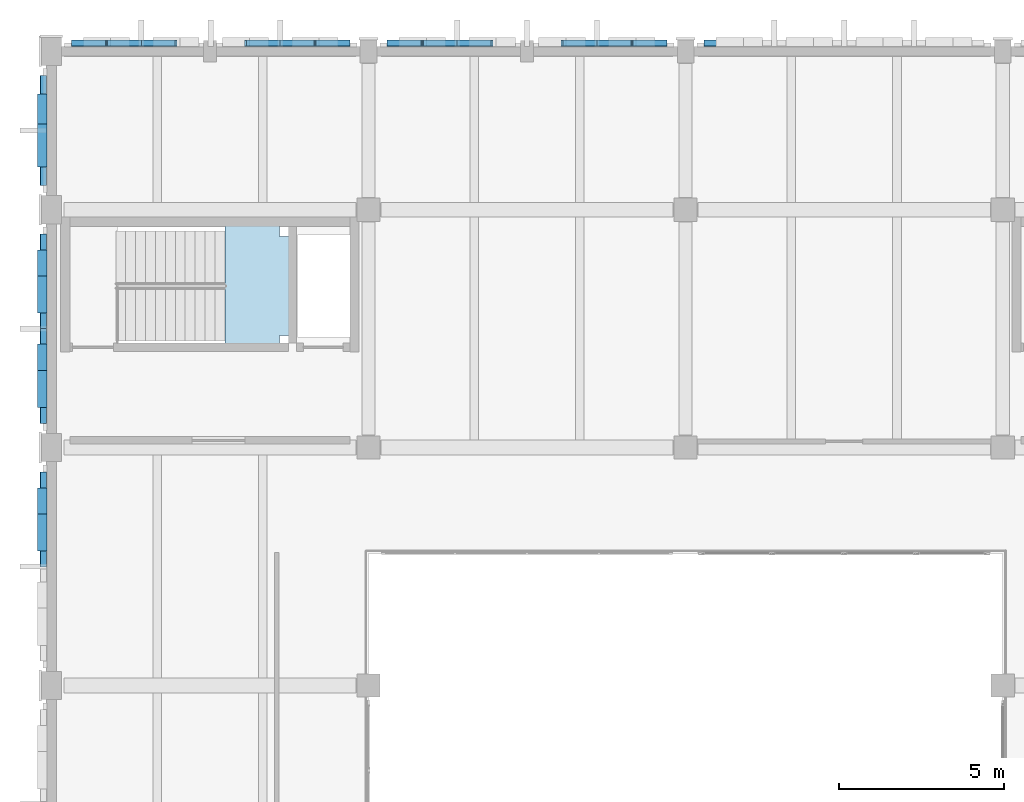
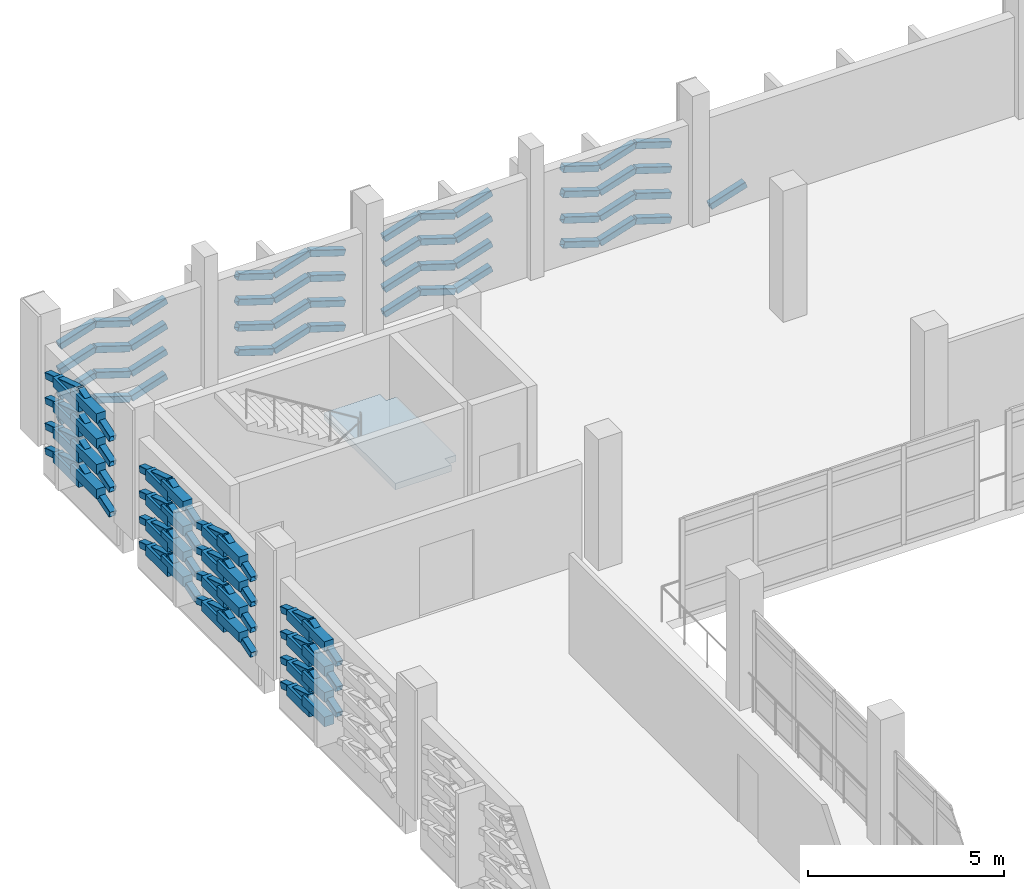
# One storey, part 100 of 134: 112 plates, 1 slab, 1 element without a shape of its own.
"""IFC4 building model written with IfcOpenShell, lengths in metres."""

import ifcopenshell
import ifcopenshell.guid

model = None  # the IFC model being written
_history = None  # IfcOwnerHistory: only IFC2X3 demands one
_inside = {}  # id of a spatial element -> (the spatial element, [elements in it])
_under = {}  # id of a project, library or spatial element -> (it, [spatial elements below it])
_declared = {}  # id of a project -> (the project, [libraries it declares])
_typed = {}  # id of a type object -> (the type object, [elements of that type])
_made_of = {}  # id of a material, layer set ... -> (it, [elements and type objects made of it])


def new_model(schema):
    """Start an empty IFC model of exactly this schema.

    Asked for "IFC4X3", IfcOpenShell would pick the latest addendum, in which some entities
    have other attributes; the version numbers below select the first issue.
    IFC2X3 requires an IfcOwnerHistory on every rooted entity: one is made here for all.
    """
    global model, _history
    if schema == "IFC4X3":
        model = ifcopenshell.file(schema_version=(4, 3, 0, 0))
    else:
        model = ifcopenshell.file(schema=schema)
    _inside.clear()
    _under.clear()
    _declared.clear()
    _typed.clear()
    _made_of.clear()
    _history = None
    if model.schema == "IFC2X3":
        org = make("IfcOrganization", Name="unknown")
        user = make(
            "IfcPersonAndOrganization",
            ThePerson=make("IfcPerson", FamilyName="unknown"),
            TheOrganization=org,
        )
        app = make(
            "IfcApplication",
            ApplicationDeveloper=org,
            Version="unknown",
            ApplicationFullName="unknown",
            ApplicationIdentifier="unknown",
        )
        _history = make(
            "IfcOwnerHistory",
            OwningUser=user,
            OwningApplication=app,
            ChangeAction="ADDED",
            CreationDate=0,
        )
    return model


def make(cls, **values):
    """One entity of the class cls with the attributes given. An attribute that is None is left unset."""
    return model.create_entity(
        cls, **{name: value for name, value in values.items() if value is not None}
    )


def rooted(cls, **values):
    """An entity with a GlobalId (a new one), such as an element, a storey or a relation."""
    return make(cls, GlobalId=ifcopenshell.guid.new(), OwnerHistory=_history, **values)


def si_unit(unit_type, name, prefix=None):
    """IfcSIUnit, for example si_unit("LENGTHUNIT", "METRE", prefix="MILLI")."""
    return make("IfcSIUnit", UnitType=unit_type, Prefix=prefix, Name=name)


def assignment(units):
    """IfcUnitAssignment: the units of a project."""
    return None if units is None else make("IfcUnitAssignment", Units=units)


def point(xyz):
    """IfcCartesianPoint."""
    return None if xyz is None else make("IfcCartesianPoint", Coordinates=xyz)


def direction(xyz):
    """IfcDirection."""
    return None if xyz is None else make("IfcDirection", DirectionRatios=xyz)


def frame(location, z_axis=None, x_axis=None):
    """IfcAxis2Placement3D, a coordinate frame: its origin and axes. An axis left out is left unset."""
    return make(
        "IfcAxis2Placement3D",
        Location=point(location),
        Axis=direction(z_axis),
        RefDirection=direction(x_axis),
    )


def frame_2d(location, x_axis=None):
    """IfcAxis2Placement2D, a coordinate frame in the plane: its origin and x axis."""
    return make(
        "IfcAxis2Placement2D", Location=point(location), RefDirection=direction(x_axis)
    )


def origin():
    """The frame at (0, 0, 0) with its axes left unset."""
    return frame((0.0, 0.0, 0.0))


def origin_2d():
    """The frame at (0, 0) in the plane with its x axis left unset."""
    return frame_2d((0.0, 0.0))


def place(relative_to, where):
    """IfcLocalPlacement: puts the frame where relative to a parent placement (None: the world)."""
    return make(
        "IfcLocalPlacement", PlacementRelTo=relative_to, RelativePlacement=where
    )


def context(
    kind, dimensions, precision=None, world=None, true_north=None, identifier=None
):
    """IfcGeometricRepresentationContext, for example the 3D "Model" context."""
    return make(
        "IfcGeometricRepresentationContext",
        ContextIdentifier=identifier,
        ContextType=kind,
        CoordinateSpaceDimension=dimensions,
        Precision=precision,
        WorldCoordinateSystem=world,
        TrueNorth=true_north,
    )


def subcontext(parent, identifier, kind, view, scale=None):
    """IfcGeometricRepresentationSubContext, for example "Body" below "Model"."""
    return make(
        "IfcGeometricRepresentationSubContext",
        ContextIdentifier=identifier,
        ContextType=kind,
        ParentContext=parent,
        TargetScale=scale,
        TargetView=view,
    )


def project(units=None, contexts=None):
    """IfcProject with its units and contexts."""
    return rooted(
        "IfcProject",
        Name="project",
        RepresentationContexts=contexts,
        UnitsInContext=assignment(units),
    )


def spatial(cls, under=None, at=None, **own):
    """A site, building, storey or space (cls), placed at a placement, below another one or the project."""
    s = rooted(cls, ObjectPlacement=at, **own)
    if under is not None:
        _under.setdefault(under.id(), (under, []))[1].append(s)
    return s


def polyline(points):
    """IfcPolyline through the points."""
    return make("IfcPolyline", Points=[point(p) for p in points])


def profile(cls, at=None, kind="AREA", **sizes):
    """A parametric profile (cls). Its sizes go by their IFC names, for example OverallWidth=200.0."""
    return make(cls, ProfileType=kind, Position=at, **sizes)


def rectangle(**sizes):
    """IfcRectangleProfileDef."""
    return profile("IfcRectangleProfileDef", **sizes)


def hollow_rectangle(**sizes):
    """IfcRectangleHollowProfileDef."""
    return profile("IfcRectangleHollowProfileDef", **sizes)


def outline(outer, holes=None, kind="AREA"):
    """IfcArbitraryClosedProfileDef: a profile drawn as a closed curve; with holes, ...WithVoids."""
    if holes is None:
        return make("IfcArbitraryClosedProfileDef", ProfileType=kind, OuterCurve=outer)
    return make(
        "IfcArbitraryProfileDefWithVoids",
        ProfileType=kind,
        OuterCurve=outer,
        InnerCurves=holes,
    )


def extrude(swept, where, along, depth):
    """IfcExtrudedAreaSolid: the profile swept, set in the frame where, extruded along a direction by depth."""
    return make(
        "IfcExtrudedAreaSolid",
        SweptArea=swept,
        Position=where,
        ExtrudedDirection=direction(along),
        Depth=depth,
    )


def shape(context_of_items, identifier, shape_type, items):
    """IfcShapeRepresentation: the items that make up one representation, for example the "Body"."""
    return make(
        "IfcShapeRepresentation",
        ContextOfItems=context_of_items,
        RepresentationIdentifier=identifier,
        RepresentationType=shape_type,
        Items=items,
    )


def material(Name=None, Category=None):
    """IfcMaterial."""
    return make("IfcMaterial", Name=Name, Category=Category)


def layer(
    of_material, thickness, ventilated=None, Name=None, Category=None, Priority=None
):
    """IfcMaterialLayer: one layer of a wall or slab, of a material (None: an air gap)."""
    return make(
        "IfcMaterialLayer",
        Material=of_material,
        LayerThickness=thickness,
        IsVentilated=ventilated,
        Name=Name,
        Category=Category,
        Priority=Priority,
    )


def layer_set(layers, Name=None):
    """IfcMaterialLayerSet."""
    return make("IfcMaterialLayerSet", MaterialLayers=layers, LayerSetName=Name)


def material_profile(
    of_material, cross_section, Name=None, Category=None, Priority=None
):
    """IfcMaterialProfile: a cross section and its material."""
    return make(
        "IfcMaterialProfile",
        Name=Name,
        Material=of_material,
        Profile=cross_section,
        Priority=Priority,
        Category=Category,
    )


def profile_set(profiles, Name=None, composite=None):
    """IfcMaterialProfileSet."""
    return make(
        "IfcMaterialProfileSet",
        Name=Name,
        MaterialProfiles=profiles,
        CompositeProfile=composite,
    )


def made_of(thing, what):
    """Note that an element or type object is made of a material, layer set ...; save() writes the relation."""
    if what is not None:
        _made_of.setdefault(what.id(), (what, []))[1].append(thing)
    return thing


def type_object(cls, material=None, **own):
    """A type object (cls), such as IfcWallType, which elements share."""
    return made_of(rooted(cls, **own), material)


def element(
    cls,
    number,
    at=None,
    inside=None,
    cuts=None,
    type_object=None,
    material=None,
    context=None,
    identifier="Body",
    shape_type=None,
    held_by="IfcProductDefinitionShape",
    body=None,
    shapes=None,
    **own,
):
    """One element of the class cls, such as IfcWall. Its Tag is "e" and its number.

    at: its placement. inside: the storey or other place that contains it. cuts: it is an
    opening in that element (IfcRelVoidsElement). A single representation is given by context,
    identifier, shape_type and body (its items); several are given by shapes. held_by: the class
    of the entity that holds the representations. save() writes the other relations.
    """
    e = rooted(cls, Tag="e%d" % number, ObjectPlacement=at, **own)
    if body is not None:
        shapes = [shape(context, identifier, shape_type, body)]
    if shapes is not None:
        e.Representation = make(held_by, Representations=shapes)
    if inside is not None:
        _inside.setdefault(inside.id(), (inside, []))[1].append(e)
    if cuts is not None:
        rooted(
            "IfcRelVoidsElement", RelatingBuildingElement=cuts, RelatedOpeningElement=e
        )
    if type_object is not None:
        _typed.setdefault(type_object.id(), (type_object, []))[1].append(e)
    return made_of(e, material)


def aggregate(whole, parts):
    """IfcRelAggregates: a whole, such as a stair, and the parts it consists of."""
    return rooted("IfcRelAggregates", RelatingObject=whole, RelatedObjects=parts)


def save(model, path):
    """Write the relations noted so far, then the file.

    IfcRelAggregates (storeys below a building ...), IfcRelContainedInSpatialStructure (elements
    in a storey), IfcRelDefinesByType, IfcRelAssociatesMaterial and IfcRelDeclares: one each for
    every whole, place, type object, material and project.
    """
    for whole, parts in _under.values():
        aggregate(whole, parts)
    for where, things in _inside.values():
        rooted(
            "IfcRelContainedInSpatialStructure",
            RelatedElements=things,
            RelatingStructure=where,
        )
    for kind, things in _typed.values():
        rooted("IfcRelDefinesByType", RelatedObjects=things, RelatingType=kind)
    for what, things in _made_of.values():
        rooted("IfcRelAssociatesMaterial", RelatedObjects=things, RelatingMaterial=what)
    for by, libraries in _declared.values():
        rooted("IfcRelDeclares", RelatingContext=by, RelatedDefinitions=libraries)
    model.write(path)


model = new_model("IFC4")

# Units and contexts
model_context = context("Model", 3, precision=1e-05, world=origin(), true_north=direction((0.0, 1.0)))
body_context = subcontext(model_context, "Body", "Model", "MODEL_VIEW")
ifc_project = project(units=[si_unit("LENGTHUNIT", "METRE"), si_unit("AREAUNIT", "SQUARE_METRE"), si_unit("VOLUMEUNIT", "CUBIC_METRE"), si_unit("PLANEANGLEUNIT", "RADIAN"), si_unit("MASSUNIT", "GRAM", prefix="KILO")], contexts=[model_context])

# Site, building, storey
site_placement = place(None, origin())
site = spatial("IfcSite", under=ifc_project, at=site_placement, CompositionType="ELEMENT")
building_placement = place(site_placement, origin())
building = spatial("IfcBuilding", under=site, at=building_placement, Name="Asteropetra Specialist Clinic", CompositionType="ELEMENT")
storey_placement = place(building_placement, frame((0.0, 0.0, 8.5)))
storey = spatial("IfcBuildingStorey", under=building, at=storey_placement, Name="L02", CompositionType="ELEMENT", Elevation=8.5)

# Plates
ifc_material_1 = material(Name="Chevron emerald aluminium 6063-T6", Category="aluminium")
ifc_material_profile = material_profile(ifc_material_1, hollow_rectangle(XDim=0.199951171875, YDim=0.199951171875, WallThickness=0.010009765625, InnerFilletRadius=0.008056640625, OuterFilletRadius=0.01611328125, at=origin_2d()), Name="SHS 200x200x10.0")
ifc_profile_set = profile_set([ifc_material_profile], Name="Chevron emerald aluminium 6063-T6")
plate_type_1 = type_object("IfcPlateType", Name="CHV-RIB-200", PredefinedType="SHEET", material=ifc_profile_set)
for number, where, z_axis, x_axis, name in (
    (1, (9.010009765625, 110.64208984375, 0.050048828125), (-0.95200979945, 0.0, 0.306067544426), (0.0, -1.0, 0.0), "Chevron Facade Screen Fin CVR-0851"),
    (2, (7.978759765625, 110.64208984375, 0.381591796875), (-0.95200979945, 0.0, -0.306067544426), (0.0, -1.0, 0.0), "Chevron Facade Screen Fin CVR-0852"),
    (3, (9.010009765625, 110.64208984375, 0.820068359375), (-0.95200979945, 0.0, 0.306067544426), (0.0, -1.0, 0.0), "Chevron Facade Screen Fin CVR-0853"),
    (4, (7.978759765625, 110.64208984375, 1.151611328125), (-0.95200979945, 0.0, -0.306067544426), (0.0, -1.0, 0.0), "Chevron Facade Screen Fin CVR-0854"),
    (5, (9.010009765625, 110.64208984375, 1.6201171875), (-0.952075453452, 0.0, 0.305863255287), (0.0, -1.0, 0.0), "Chevron Facade Screen Fin CVR-0855"),
    (6, (7.978759765625, 110.64208984375, 1.951416015625), (-0.952075453452, 0.0, -0.305863255287), (0.0, -1.0, 0.0), "Chevron Facade Screen Fin CVR-0856"),
    (7, (9.010009765625, 110.64208984375, 2.39990234375), (-0.95200979945, 0.0, 0.306067544426), (0.0, -1.0, 0.0), "Chevron Facade Screen Fin CVR-0857"),
    (8, (7.978759765625, 110.64208984375, 2.7314453125), (-0.95200979945, 0.0, -0.306067544426), (0.0, -1.0, 0.0), "Chevron Facade Screen Fin CVR-0858"),
    (9, (6.907470703125, 110.64208984375, 0.050048828125), (-0.95200979945, 0.0, 0.306067544426), (0.0, -1.0, 0.0), "Chevron Facade Screen Fin CVR-0859"),
    (10, (6.907470703125, 110.64208984375, 0.820068359375), (-0.95200979945, 0.0, 0.306067544426), (0.0, -1.0, 0.0), "Chevron Facade Screen Fin CVR-0860"),
    (11, (6.907470703125, 110.64208984375, 1.6201171875), (-0.952075453452, 0.0, 0.305863255287), (0.0, -1.0, 0.0), "Chevron Facade Screen Fin CVR-0861"),
    (12, (6.907470703125, 110.64208984375, 2.39990234375), (-0.95200979945, 0.0, 0.306067544426), (0.0, -1.0, 0.0), "Chevron Facade Screen Fin CVR-0862"),
    (13, (3.773681640625, 110.64208984375, 0.381591796875), (-0.95200979945, 0.0, -0.306067544426), (0.0, -1.0, 0.0), "Chevron Facade Screen Fin CVR-0863"),
    (14, (3.773681640625, 110.64208984375, 1.151611328125), (-0.95200979945, 0.0, -0.306067544426), (0.0, -1.0, 0.0), "Chevron Facade Screen Fin CVR-0864"),
    (15, (3.773681640625, 110.64208984375, 1.951416015625), (-0.952075453452, 0.0, -0.305863255287), (0.0, -1.0, 0.0), "Chevron Facade Screen Fin CVR-0865"),
    (16, (3.773681640625, 110.64208984375, 2.7314453125), (-0.95200979945, 0.0, -0.306067544426), (0.0, -1.0, 0.0), "Chevron Facade Screen Fin CVR-0866"),
):
    element("IfcPlate", number, at=place(storey_placement, frame(where, z_axis=z_axis, x_axis=x_axis)), inside=storey, type_object=plate_type_1, Name=name, PredefinedType="SHEET", context=body_context, shape_type="SweptSolid", body=[
        extrude(hollow_rectangle(XDim=0.199951171875, YDim=0.199951171875, WallThickness=0.010009765625, InnerFilletRadius=0.008056640625, OuterFilletRadius=0.01611328125, at=origin_2d()), origin(), (0.0, 0.0, 1.0), 1.083251953125),
    ])
plate_1_placement = place(storey_placement, frame((2.702392578125, 110.64208984375, 0.050048828125), z_axis=(-0.95198867955, 0.0, 0.30613322918), x_axis=(0.0, -1.0, 0.0)))
element("IfcPlate", 17, at=plate_1_placement, inside=storey, type_object=plate_type_1, Name="Chevron Facade Screen Fin CVR-0867", PredefinedType="SHEET", context=body_context, shape_type="SweptSolid", body=[
    extrude(hollow_rectangle(XDim=0.199951171875, YDim=0.199951171875, WallThickness=0.010009765625, InnerFilletRadius=0.008056640625, OuterFilletRadius=0.01611328125, at=origin_2d()), origin(), (0.0, 0.0, 1.0), 1.0830078125),
])
plate_2_placement = place(storey_placement, frame((1.67138671875, 110.64208984375, 0.381591796875), z_axis=(-0.95203090576, 0.0, -0.306001886396), x_axis=(0.0, -1.0, 0.0)))
element("IfcPlate", 18, at=plate_2_placement, inside=storey, type_object=plate_type_1, Name="Chevron Facade Screen Fin CVR-0868", PredefinedType="SHEET", context=body_context, shape_type="SweptSolid", body=[
    extrude(hollow_rectangle(XDim=0.199951171875, YDim=0.199951171875, WallThickness=0.010009765625, InnerFilletRadius=0.008056640625, OuterFilletRadius=0.01611328125, at=origin_2d()), origin(), (0.0, 0.0, 1.0), 1.08349609375),
])
plate_3_placement = place(storey_placement, frame((2.702392578125, 110.64208984375, 0.820068359375), z_axis=(-0.95198867955, 0.0, 0.30613322918), x_axis=(0.0, -1.0, 0.0)))
element("IfcPlate", 19, at=plate_3_placement, inside=storey, type_object=plate_type_1, Name="Chevron Facade Screen Fin CVR-0869", PredefinedType="SHEET", context=body_context, shape_type="SweptSolid", body=[
    extrude(hollow_rectangle(XDim=0.199951171875, YDim=0.199951171875, WallThickness=0.010009765625, InnerFilletRadius=0.008056640625, OuterFilletRadius=0.01611328125, at=origin_2d()), origin(), (0.0, 0.0, 1.0), 1.0830078125),
])
plate_4_placement = place(storey_placement, frame((1.67138671875, 110.64208984375, 1.151611328125), z_axis=(-0.95203090576, 0.0, -0.306001886396), x_axis=(0.0, -1.0, 0.0)))
element("IfcPlate", 20, at=plate_4_placement, inside=storey, type_object=plate_type_1, Name="Chevron Facade Screen Fin CVR-0870", PredefinedType="SHEET", context=body_context, shape_type="SweptSolid", body=[
    extrude(hollow_rectangle(XDim=0.199951171875, YDim=0.199951171875, WallThickness=0.010009765625, InnerFilletRadius=0.008056640625, OuterFilletRadius=0.01611328125, at=origin_2d()), origin(), (0.0, 0.0, 1.0), 1.08349609375),
])
plate_5_placement = place(storey_placement, frame((2.702392578125, 110.64208984375, 1.6201171875), z_axis=(-0.95205436028, 0.0, 0.305928905257), x_axis=(0.0, -1.0, 0.0)))
element("IfcPlate", 21, at=plate_5_placement, inside=storey, type_object=plate_type_1, Name="Chevron Facade Screen Fin CVR-0871", PredefinedType="SHEET", context=body_context, shape_type="SweptSolid", body=[
    extrude(hollow_rectangle(XDim=0.199951171875, YDim=0.199951171875, WallThickness=0.010009765625, InnerFilletRadius=0.008056640625, OuterFilletRadius=0.01611328125, at=origin_2d()), origin(), (0.0, 0.0, 1.0), 1.0830078125),
])
plate_6_placement = place(storey_placement, frame((1.67138671875, 110.64208984375, 1.951416015625), z_axis=(-0.952096533048, 0.0, -0.305797632035), x_axis=(0.0, -1.0, 0.0)))
element("IfcPlate", 22, at=plate_6_placement, inside=storey, type_object=plate_type_1, Name="Chevron Facade Screen Fin CVR-0872", PredefinedType="SHEET", context=body_context, shape_type="SweptSolid", body=[
    extrude(hollow_rectangle(XDim=0.199951171875, YDim=0.199951171875, WallThickness=0.010009765625, InnerFilletRadius=0.008056640625, OuterFilletRadius=0.01611328125, at=origin_2d()), origin(), (0.0, 0.0, 1.0), 1.08349609375),
])
plate_7_placement = place(storey_placement, frame((2.702392578125, 110.64208984375, 2.39990234375), z_axis=(-0.95198867955, 0.0, 0.30613322918), x_axis=(0.0, -1.0, 0.0)))
element("IfcPlate", 23, at=plate_7_placement, inside=storey, type_object=plate_type_1, Name="Chevron Facade Screen Fin CVR-0873", PredefinedType="SHEET", context=body_context, shape_type="SweptSolid", body=[
    extrude(hollow_rectangle(XDim=0.199951171875, YDim=0.199951171875, WallThickness=0.010009765625, InnerFilletRadius=0.008056640625, OuterFilletRadius=0.01611328125, at=origin_2d()), origin(), (0.0, 0.0, 1.0), 1.0830078125),
])
plate_8_placement = place(storey_placement, frame((1.67138671875, 110.64208984375, 2.7314453125), z_axis=(-0.95203090576, 0.0, -0.306001886396), x_axis=(0.0, -1.0, 0.0)))
element("IfcPlate", 24, at=plate_8_placement, inside=storey, type_object=plate_type_1, Name="Chevron Facade Screen Fin CVR-0874", PredefinedType="SHEET", context=body_context, shape_type="SweptSolid", body=[
    extrude(hollow_rectangle(XDim=0.199951171875, YDim=0.199951171875, WallThickness=0.010009765625, InnerFilletRadius=0.008056640625, OuterFilletRadius=0.01611328125, at=origin_2d()), origin(), (0.0, 0.0, 1.0), 1.08349609375),
])
for number, where, z_axis, x_axis, name in (
    (25, (18.610107421875, 110.64208984375, 0.050048828125), (-0.952098462736, 0.0, 0.305791623914), (0.0, -1.0, 0.0), "Chevron Facade Screen Fin CVR-0875"),
    (26, (17.572509765625, 110.64208984375, 0.38330078125), (-0.952098462736, 0.0, -0.305791623914), (0.0, -1.0, 0.0), "Chevron Facade Screen Fin CVR-0876"),
    (27, (18.610107421875, 110.64208984375, 0.820068359375), (-0.952098462736, 0.0, 0.305791623914), (0.0, -1.0, 0.0), "Chevron Facade Screen Fin CVR-0877"),
    (28, (17.572509765625, 110.64208984375, 1.1533203125), (-0.952098462736, 0.0, -0.305791623914), (0.0, -1.0, 0.0), "Chevron Facade Screen Fin CVR-0878"),
    (29, (18.610107421875, 110.64208984375, 1.6201171875), (-0.952098462736, 0.0, 0.305791623914), (0.0, -1.0, 0.0), "Chevron Facade Screen Fin CVR-0879"),
    (30, (17.572509765625, 110.64208984375, 1.953369140625), (-0.952098462736, 0.0, -0.305791623914), (0.0, -1.0, 0.0), "Chevron Facade Screen Fin CVR-0880"),
    (31, (18.610107421875, 110.64208984375, 2.39990234375), (-0.952033222609, 0.0, 0.305994678137), (0.0, -1.0, 0.0), "Chevron Facade Screen Fin CVR-0881"),
    (32, (17.572509765625, 110.64208984375, 2.7333984375), (-0.952033222609, 0.0, -0.305994678137), (0.0, -1.0, 0.0), "Chevron Facade Screen Fin CVR-0882"),
    (33, (16.4951171875, 110.64208984375, 0.050048828125), (-0.952098462736, 0.0, 0.305791623914), (0.0, -1.0, 0.0), "Chevron Facade Screen Fin CVR-0883"),
    (34, (16.4951171875, 110.64208984375, 0.820068359375), (-0.952098462736, 0.0, 0.305791623914), (0.0, -1.0, 0.0), "Chevron Facade Screen Fin CVR-0884"),
    (35, (16.4951171875, 110.64208984375, 1.6201171875), (-0.952098462736, 0.0, 0.305791623914), (0.0, -1.0, 0.0), "Chevron Facade Screen Fin CVR-0885"),
    (36, (16.4951171875, 110.64208984375, 2.39990234375), (-0.952033222609, 0.0, 0.305994678137), (0.0, -1.0, 0.0), "Chevron Facade Screen Fin CVR-0886"),
    (37, (13.342529296875, 110.64208984375, 0.38330078125), (-0.952098462736, 0.0, -0.305791623914), (0.0, -1.0, 0.0), "Chevron Facade Screen Fin CVR-0887"),
    (38, (13.342529296875, 110.64208984375, 1.1533203125), (-0.952098462736, 0.0, -0.305791623914), (0.0, -1.0, 0.0), "Chevron Facade Screen Fin CVR-0888"),
    (39, (13.342529296875, 110.64208984375, 1.953369140625), (-0.952098462736, 0.0, -0.305791623914), (0.0, -1.0, 0.0), "Chevron Facade Screen Fin CVR-0889"),
    (40, (13.342529296875, 110.64208984375, 2.7333984375), (-0.952033222609, 0.0, -0.305994678137), (0.0, -1.0, 0.0), "Chevron Facade Screen Fin CVR-0890"),
):
    element("IfcPlate", number, at=place(storey_placement, frame(where, z_axis=z_axis, x_axis=x_axis)), inside=storey, type_object=plate_type_1, Name=name, PredefinedType="SHEET", context=body_context, shape_type="SweptSolid", body=[
        extrude(hollow_rectangle(XDim=0.199951171875, YDim=0.199951171875, WallThickness=0.010009765625, InnerFilletRadius=0.008056640625, OuterFilletRadius=0.01611328125, at=origin_2d()), origin(), (0.0, 0.0, 1.0), 1.08984375),
    ])
plate_9_placement = place(storey_placement, frame((12.264892578125, 110.64208984375, 0.050048828125), z_axis=(-0.952077507958, 0.0, 0.305856860052), x_axis=(0.0, -1.0, 0.0)))
element("IfcPlate", 41, at=plate_9_placement, inside=storey, type_object=plate_type_1, Name="Chevron Facade Screen Fin CVR-0891", PredefinedType="SHEET", context=body_context, shape_type="SweptSolid", body=[
    extrude(hollow_rectangle(XDim=0.199951171875, YDim=0.199951171875, WallThickness=0.010009765625, InnerFilletRadius=0.008056640625, OuterFilletRadius=0.01611328125, at=origin_2d()), origin(), (0.0, 0.0, 1.0), 1.089599609375),
])
plate_10_placement = place(storey_placement, frame((11.2275390625, 110.64208984375, 0.38330078125), z_axis=(-0.952098462736, 0.0, -0.305791623914), x_axis=(0.0, -1.0, 0.0)))
element("IfcPlate", 42, at=plate_10_placement, inside=storey, type_object=plate_type_1, Name="Chevron Facade Screen Fin CVR-0892", PredefinedType="SHEET", context=body_context, shape_type="SweptSolid", body=[
    extrude(hollow_rectangle(XDim=0.199951171875, YDim=0.199951171875, WallThickness=0.010009765625, InnerFilletRadius=0.008056640625, OuterFilletRadius=0.01611328125, at=origin_2d()), origin(), (0.0, 0.0, 1.0), 1.08984375),
])
plate_11_placement = place(storey_placement, frame((12.264892578125, 110.64208984375, 0.820068359375), z_axis=(-0.952077507958, 0.0, 0.305856860052), x_axis=(0.0, -1.0, 0.0)))
element("IfcPlate", 43, at=plate_11_placement, inside=storey, type_object=plate_type_1, Name="Chevron Facade Screen Fin CVR-0893", PredefinedType="SHEET", context=body_context, shape_type="SweptSolid", body=[
    extrude(hollow_rectangle(XDim=0.199951171875, YDim=0.199951171875, WallThickness=0.010009765625, InnerFilletRadius=0.008056640625, OuterFilletRadius=0.01611328125, at=origin_2d()), origin(), (0.0, 0.0, 1.0), 1.089599609375),
])
plate_12_placement = place(storey_placement, frame((11.2275390625, 110.64208984375, 1.1533203125), z_axis=(-0.952098462736, 0.0, -0.305791623914), x_axis=(0.0, -1.0, 0.0)))
element("IfcPlate", 44, at=plate_12_placement, inside=storey, type_object=plate_type_1, Name="Chevron Facade Screen Fin CVR-0894", PredefinedType="SHEET", context=body_context, shape_type="SweptSolid", body=[
    extrude(hollow_rectangle(XDim=0.199951171875, YDim=0.199951171875, WallThickness=0.010009765625, InnerFilletRadius=0.008056640625, OuterFilletRadius=0.01611328125, at=origin_2d()), origin(), (0.0, 0.0, 1.0), 1.08984375),
])
plate_13_placement = place(storey_placement, frame((12.264892578125, 110.64208984375, 1.6201171875), z_axis=(-0.952077507958, 0.0, 0.305856860052), x_axis=(0.0, -1.0, 0.0)))
element("IfcPlate", 45, at=plate_13_placement, inside=storey, type_object=plate_type_1, Name="Chevron Facade Screen Fin CVR-0895", PredefinedType="SHEET", context=body_context, shape_type="SweptSolid", body=[
    extrude(hollow_rectangle(XDim=0.199951171875, YDim=0.199951171875, WallThickness=0.010009765625, InnerFilletRadius=0.008056640625, OuterFilletRadius=0.01611328125, at=origin_2d()), origin(), (0.0, 0.0, 1.0), 1.089599609375),
])
plate_14_placement = place(storey_placement, frame((11.2275390625, 110.64208984375, 1.953369140625), z_axis=(-0.952098462736, 0.0, -0.305791623914), x_axis=(0.0, -1.0, 0.0)))
element("IfcPlate", 46, at=plate_14_placement, inside=storey, type_object=plate_type_1, Name="Chevron Facade Screen Fin CVR-0896", PredefinedType="SHEET", context=body_context, shape_type="SweptSolid", body=[
    extrude(hollow_rectangle(XDim=0.199951171875, YDim=0.199951171875, WallThickness=0.010009765625, InnerFilletRadius=0.008056640625, OuterFilletRadius=0.01611328125, at=origin_2d()), origin(), (0.0, 0.0, 1.0), 1.08984375),
])
plate_15_placement = place(storey_placement, frame((12.264892578125, 110.64208984375, 2.39990234375), z_axis=(-0.952012241431, 0.0, 0.306059948646), x_axis=(0.0, -1.0, 0.0)))
element("IfcPlate", 47, at=plate_15_placement, inside=storey, type_object=plate_type_1, Name="Chevron Facade Screen Fin CVR-0897", PredefinedType="SHEET", context=body_context, shape_type="SweptSolid", body=[
    extrude(hollow_rectangle(XDim=0.199951171875, YDim=0.199951171875, WallThickness=0.010009765625, InnerFilletRadius=0.008056640625, OuterFilletRadius=0.01611328125, at=origin_2d()), origin(), (0.0, 0.0, 1.0), 1.089599609375),
])
plate_16_placement = place(storey_placement, frame((11.2275390625, 110.64208984375, 2.7333984375), z_axis=(-0.952033222609, 0.0, -0.305994678137), x_axis=(0.0, -1.0, 0.0)))
element("IfcPlate", 48, at=plate_16_placement, inside=storey, type_object=plate_type_1, Name="Chevron Facade Screen Fin CVR-0898", PredefinedType="SHEET", context=body_context, shape_type="SweptSolid", body=[
    extrude(hollow_rectangle(XDim=0.199951171875, YDim=0.199951171875, WallThickness=0.010009765625, InnerFilletRadius=0.008056640625, OuterFilletRadius=0.01611328125, at=origin_2d()), origin(), (0.0, 0.0, 1.0), 1.08984375),
])
plate_17_placement = place(storey_placement, frame((20.827392578125, 110.64208984375, 0.38330078125), z_axis=(-0.952077507958, 0.0, -0.305856860052), x_axis=(0.0, -1.0, 0.0)))
element("IfcPlate", 49, at=plate_17_placement, inside=storey, type_object=plate_type_1, Name="Chevron Facade Screen Fin CVR-0924", PredefinedType="SHEET", context=body_context, shape_type="SweptSolid", body=[
    extrude(hollow_rectangle(XDim=0.199951171875, YDim=0.199951171875, WallThickness=0.010009765625, InnerFilletRadius=0.008056640625, OuterFilletRadius=0.01611328125, at=origin_2d()), origin(), (0.0, 0.0, 1.0), 1.089599609375),
])
for number, where, z_axis, x_axis, name in (
    (50, (-0.241943359375, 97.635009765625, 0.050048828125), (0.0, -0.952510437396, 0.304505938616), (1.0, 0.0, 0.0), "Chevron Facade Screen Fin CVR-1123"),
    (51, (-0.241943359375, 97.635009765625, 0.820068359375), (0.0, -0.952510437396, 0.304505938616), (1.0, 0.0, 0.0), "Chevron Facade Screen Fin CVR-1125"),
    (52, (-0.241943359375, 96.2275390625, 1.27001953125), (0.0, -0.952510437396, -0.304505938616), (1.0, 0.0, 0.0), "Chevron Facade Screen Fin CVR-1126"),
    (53, (-0.241943359375, 97.635009765625, 1.6201171875), (0.0, -0.952510437396, 0.304505938616), (1.0, 0.0, 0.0), "Chevron Facade Screen Fin CVR-1127"),
    (54, (-0.241943359375, 96.2275390625, 2.070068359375), (0.0, -0.952510437396, -0.304505938616), (1.0, 0.0, 0.0), "Chevron Facade Screen Fin CVR-1128"),
):
    element("IfcPlate", number, at=place(storey_placement, frame(where, z_axis=z_axis, x_axis=x_axis)), inside=storey, type_object=plate_type_1, Name=name, PredefinedType="SHEET", context=body_context, shape_type="SweptSolid", body=[
        extrude(hollow_rectangle(XDim=0.199951171875, YDim=0.199951171875, WallThickness=0.010009765625, InnerFilletRadius=0.008056640625, OuterFilletRadius=0.01611328125, at=origin_2d()), origin(), (0.0, 0.0, 1.0), 1.4775390625),
    ])
for number, where, z_axis, x_axis, name in (
    (55, (-0.241943359375, 97.635009765625, 2.39990234375), (0.0, -0.952462505902, 0.304655830162), (1.0, 0.0, 0.0), "Chevron Facade Screen Fin CVR-1129"),
    (56, (-0.241943359375, 96.2275390625, 2.85009765625), (0.0, -0.952462505902, -0.304655830162), (1.0, 0.0, 0.0), "Chevron Facade Screen Fin CVR-1130"),
):
    element("IfcPlate", number, at=place(storey_placement, frame(where, z_axis=z_axis, x_axis=x_axis)), inside=storey, type_object=plate_type_1, Name=name, PredefinedType="SHEET", context=body_context, shape_type="SweptSolid", body=[
        extrude(hollow_rectangle(XDim=0.199951171875, YDim=0.199951171875, WallThickness=0.010009765625, InnerFilletRadius=0.008056640625, OuterFilletRadius=0.01611328125, at=origin_2d()), origin(), (0.0, 0.0, 1.0), 1.477783203125),
    ])
for number, where, z_axis, x_axis, name in (
    (57, (-0.241943359375, 104.8349609375, 0.050048828125), (0.0, -0.952510437396, 0.304505938616), (1.0, 0.0, 0.0), "Chevron Facade Screen Fin CVR-1155"),
    (58, (-0.241943359375, 103.427490234375, 0.5), (0.0, -0.952510437396, -0.304505938616), (1.0, 0.0, 0.0), "Chevron Facade Screen Fin CVR-1156"),
    (59, (-0.241943359375, 104.8349609375, 0.820068359375), (0.0, -0.952510437396, 0.304505938616), (1.0, 0.0, 0.0), "Chevron Facade Screen Fin CVR-1157"),
    (60, (-0.241943359375, 103.427490234375, 1.27001953125), (0.0, -0.952510437396, -0.304505938616), (1.0, 0.0, 0.0), "Chevron Facade Screen Fin CVR-1158"),
    (61, (-0.241943359375, 104.8349609375, 1.6201171875), (0.0, -0.952510437396, 0.304505938616), (1.0, 0.0, 0.0), "Chevron Facade Screen Fin CVR-1159"),
    (62, (-0.241943359375, 103.427490234375, 2.070068359375), (0.0, -0.952510437396, -0.304505938616), (1.0, 0.0, 0.0), "Chevron Facade Screen Fin CVR-1160"),
):
    element("IfcPlate", number, at=place(storey_placement, frame(where, z_axis=z_axis, x_axis=x_axis)), inside=storey, type_object=plate_type_1, Name=name, PredefinedType="SHEET", context=body_context, shape_type="SweptSolid", body=[
        extrude(hollow_rectangle(XDim=0.199951171875, YDim=0.199951171875, WallThickness=0.010009765625, InnerFilletRadius=0.008056640625, OuterFilletRadius=0.01611328125, at=origin_2d()), origin(), (0.0, 0.0, 1.0), 1.4775390625),
    ])
for number, where, z_axis, x_axis, name in (
    (63, (-0.241943359375, 104.8349609375, 2.39990234375), (0.0, -0.952462505902, 0.304655830162), (1.0, 0.0, 0.0), "Chevron Facade Screen Fin CVR-1161"),
    (64, (-0.241943359375, 103.427490234375, 2.85009765625), (0.0, -0.952462505902, -0.304655830162), (1.0, 0.0, 0.0), "Chevron Facade Screen Fin CVR-1162"),
):
    element("IfcPlate", number, at=place(storey_placement, frame(where, z_axis=z_axis, x_axis=x_axis)), inside=storey, type_object=plate_type_1, Name=name, PredefinedType="SHEET", context=body_context, shape_type="SweptSolid", body=[
        extrude(hollow_rectangle(XDim=0.199951171875, YDim=0.199951171875, WallThickness=0.010009765625, InnerFilletRadius=0.008056640625, OuterFilletRadius=0.01611328125, at=origin_2d()), origin(), (0.0, 0.0, 1.0), 1.477783203125),
    ])
for number, where, z_axis, x_axis, name in (
    (65, (-0.241943359375, 101.97998046875, 0.050048828125), (0.0, -0.952510437396, 0.304505938616), (1.0, 0.0, 0.0), "Chevron Facade Screen Fin CVR-1163"),
    (66, (-0.241943359375, 100.572509765625, 0.5), (0.0, -0.952510437396, -0.304505938616), (1.0, 0.0, 0.0), "Chevron Facade Screen Fin CVR-1164"),
    (67, (-0.241943359375, 101.97998046875, 0.820068359375), (0.0, -0.952510437396, 0.304505938616), (1.0, 0.0, 0.0), "Chevron Facade Screen Fin CVR-1165"),
    (68, (-0.241943359375, 100.572509765625, 1.27001953125), (0.0, -0.952510437396, -0.304505938616), (1.0, 0.0, 0.0), "Chevron Facade Screen Fin CVR-1166"),
    (69, (-0.241943359375, 101.97998046875, 1.6201171875), (0.0, -0.952510437396, 0.304505938616), (1.0, 0.0, 0.0), "Chevron Facade Screen Fin CVR-1167"),
    (70, (-0.241943359375, 100.572509765625, 2.070068359375), (0.0, -0.952510437396, -0.304505938616), (1.0, 0.0, 0.0), "Chevron Facade Screen Fin CVR-1168"),
):
    element("IfcPlate", number, at=place(storey_placement, frame(where, z_axis=z_axis, x_axis=x_axis)), inside=storey, type_object=plate_type_1, Name=name, PredefinedType="SHEET", context=body_context, shape_type="SweptSolid", body=[
        extrude(hollow_rectangle(XDim=0.199951171875, YDim=0.199951171875, WallThickness=0.010009765625, InnerFilletRadius=0.008056640625, OuterFilletRadius=0.01611328125, at=origin_2d()), origin(), (0.0, 0.0, 1.0), 1.4775390625),
    ])
for number, where, z_axis, x_axis, name in (
    (71, (-0.241943359375, 101.97998046875, 2.39990234375), (0.0, -0.952462505902, 0.304655830162), (1.0, 0.0, 0.0), "Chevron Facade Screen Fin CVR-1169"),
    (72, (-0.241943359375, 100.572509765625, 2.85009765625), (0.0, -0.952462505902, -0.304655830162), (1.0, 0.0, 0.0), "Chevron Facade Screen Fin CVR-1170"),
):
    element("IfcPlate", number, at=place(storey_placement, frame(where, z_axis=z_axis, x_axis=x_axis)), inside=storey, type_object=plate_type_1, Name=name, PredefinedType="SHEET", context=body_context, shape_type="SweptSolid", body=[
        extrude(hollow_rectangle(XDim=0.199951171875, YDim=0.199951171875, WallThickness=0.010009765625, InnerFilletRadius=0.008056640625, OuterFilletRadius=0.01611328125, at=origin_2d()), origin(), (0.0, 0.0, 1.0), 1.477783203125),
    ])
for number, where, z_axis, x_axis, name in (
    (73, (-0.241943359375, 109.635009765625, 0.050048828125), (0.0, -0.952673236867, 0.303996223262), (1.0, 0.0, 0.0), "Chevron Facade Screen Fin CVR-1175"),
    (74, (-0.241943359375, 108.0, 0.57177734375), (0.0, -0.952673236867, -0.303996223262), (1.0, 0.0, 0.0), "Chevron Facade Screen Fin CVR-1176"),
    (75, (-0.241943359375, 109.635009765625, 0.820068359375), (0.0, -0.952673236867, 0.303996223262), (1.0, 0.0, 0.0), "Chevron Facade Screen Fin CVR-1177"),
    (76, (-0.241943359375, 108.0, 1.341796875), (0.0, -0.952673236867, -0.303996223262), (1.0, 0.0, 0.0), "Chevron Facade Screen Fin CVR-1178"),
    (77, (-0.241943359375, 109.635009765625, 1.6201171875), (0.0, -0.952673236867, 0.303996223262), (1.0, 0.0, 0.0), "Chevron Facade Screen Fin CVR-1179"),
    (78, (-0.241943359375, 108.0, 2.141845703125), (0.0, -0.952673236867, -0.303996223262), (1.0, 0.0, 0.0), "Chevron Facade Screen Fin CVR-1180"),
    (79, (-0.241943359375, 109.635009765625, 2.39990234375), (0.0, -0.952632031931, 0.304125322423), (1.0, 0.0, 0.0), "Chevron Facade Screen Fin CVR-1181"),
    (80, (-0.241943359375, 108.0, 2.921875), (0.0, -0.952632031931, -0.304125322423), (1.0, 0.0, 0.0), "Chevron Facade Screen Fin CVR-1182"),
):
    element("IfcPlate", number, at=place(storey_placement, frame(where, z_axis=z_axis, x_axis=x_axis)), inside=storey, type_object=plate_type_1, Name=name, PredefinedType="SHEET", context=body_context, shape_type="SweptSolid", body=[
        extrude(hollow_rectangle(XDim=0.199951171875, YDim=0.199951171875, WallThickness=0.010009765625, InnerFilletRadius=0.008056640625, OuterFilletRadius=0.01611328125, at=origin_2d()), origin(), (0.0, 0.0, 1.0), 1.71630859375),
    ])
ifc_material_2 = material(Name="Aluminium 6063-T6", Category="aluminium")
ifc_layer_1 = layer(ifc_material_2, 0.139892578125)
ifc_layer_set_1 = layer_set([ifc_layer_1], Name="Aluminium 6063-T6")
plate_type_2 = type_object("IfcPlateType", Name="PLT-CHV-TILE", PredefinedType="SHEET", material=ifc_layer_set_1)
for number, where, z_axis, x_axis, name in (
    (81, (-0.280029296875, 96.62158203125, 0.03515625), (0.0, 0.0, 1.0), (1.0, 0.0, 0.0), "Chevron Ceramic Panel CPT-0793"),
    (82, (-0.280029296875, 95.83349609375, 0.2060546875), (0.0, 0.0, 1.0), (1.0, 0.0, 0.0), "Chevron Ceramic Panel CPT-0794"),
    (83, (-0.280029296875, 96.62158203125, 0.80517578125), (0.0, 0.0, 1.0), (1.0, 0.0, 0.0), "Chevron Ceramic Panel CPT-0795"),
    (84, (-0.280029296875, 95.83349609375, 0.97607421875), (0.0, 0.0, 1.0), (1.0, 0.0, 0.0), "Chevron Ceramic Panel CPT-0796"),
    (85, (-0.280029296875, 96.62158203125, 1.60498046875), (0.0, 0.0, 1.0), (1.0, 0.0, 0.0), "Chevron Ceramic Panel CPT-0797"),
    (86, (-0.280029296875, 95.83349609375, 1.77587890625), (0.0, 0.0, 1.0), (1.0, 0.0, 0.0), "Chevron Ceramic Panel CPT-0798"),
    (87, (-0.280029296875, 96.62158203125, 2.384765625), (0.0, 0.0, 1.0), (1.0, 0.0, 0.0), "Chevron Ceramic Panel CPT-0799"),
    (88, (-0.280029296875, 95.83349609375, 2.55615234375), (0.0, 0.0, 1.0), (1.0, 0.0, 0.0), "Chevron Ceramic Panel CPT-0800"),
    (89, (-0.280029296875, 103.821533203125, 0.03515625), (0.0, 0.0, 1.0), (1.0, 0.0, 0.0), "Chevron Ceramic Panel CPT-0825"),
    (90, (-0.280029296875, 103.033447265625, 0.2060546875), (0.0, 0.0, 1.0), (1.0, 0.0, 0.0), "Chevron Ceramic Panel CPT-0826"),
    (91, (-0.280029296875, 103.821533203125, 0.80517578125), (0.0, 0.0, 1.0), (1.0, 0.0, 0.0), "Chevron Ceramic Panel CPT-0827"),
    (92, (-0.280029296875, 103.033447265625, 0.97607421875), (0.0, 0.0, 1.0), (1.0, 0.0, 0.0), "Chevron Ceramic Panel CPT-0828"),
    (93, (-0.280029296875, 103.821533203125, 1.60498046875), (0.0, 0.0, 1.0), (1.0, 0.0, 0.0), "Chevron Ceramic Panel CPT-0829"),
    (94, (-0.280029296875, 103.033447265625, 1.77587890625), (0.0, 0.0, 1.0), (1.0, 0.0, 0.0), "Chevron Ceramic Panel CPT-0830"),
    (95, (-0.280029296875, 103.821533203125, 2.384765625), (0.0, 0.0, 1.0), (1.0, 0.0, 0.0), "Chevron Ceramic Panel CPT-0831"),
    (96, (-0.280029296875, 103.033447265625, 2.55615234375), (0.0, 0.0, 1.0), (1.0, 0.0, 0.0), "Chevron Ceramic Panel CPT-0832"),
    (97, (-0.280029296875, 100.966552734375, 0.03515625), (0.0, 0.0, 1.0), (1.0, 0.0, 0.0), "Chevron Ceramic Panel CPT-0833"),
    (98, (-0.280029296875, 100.178466796875, 0.2060546875), (0.0, 0.0, 1.0), (1.0, 0.0, 0.0), "Chevron Ceramic Panel CPT-0834"),
    (99, (-0.280029296875, 100.966552734375, 0.80517578125), (0.0, 0.0, 1.0), (1.0, 0.0, 0.0), "Chevron Ceramic Panel CPT-0835"),
    (100, (-0.280029296875, 100.178466796875, 0.97607421875), (0.0, 0.0, 1.0), (1.0, 0.0, 0.0), "Chevron Ceramic Panel CPT-0836"),
    (101, (-0.280029296875, 100.966552734375, 1.60498046875), (0.0, 0.0, 1.0), (1.0, 0.0, 0.0), "Chevron Ceramic Panel CPT-0837"),
    (102, (-0.280029296875, 100.178466796875, 1.77587890625), (0.0, 0.0, 1.0), (1.0, 0.0, 0.0), "Chevron Ceramic Panel CPT-0838"),
    (103, (-0.280029296875, 100.966552734375, 2.384765625), (0.0, 0.0, 1.0), (1.0, 0.0, 0.0), "Chevron Ceramic Panel CPT-0839"),
    (104, (-0.280029296875, 100.178466796875, 2.55615234375), (0.0, 0.0, 1.0), (1.0, 0.0, 0.0), "Chevron Ceramic Panel CPT-0840"),
):
    element("IfcPlate", number, at=place(storey_placement, frame(where, z_axis=z_axis, x_axis=x_axis)), inside=storey, type_object=plate_type_2, Name=name, PredefinedType="SHEET", context=body_context, shape_type="SweptSolid", body=[
        extrude(rectangle(XDim=0.280029296875, YDim=1.1259765625, at=origin_2d()), origin(), (0.0, 0.0, 1.0), 0.300048828125),
    ])
for number, where, z_axis, x_axis, name in (
    (105, (-0.280029296875, 108.457763671875, 0.056640625), (0.0, 0.0, 1.0), (1.0, 0.0, 0.0), "Chevron Ceramic Panel CPT-0845"),
    (106, (-0.280029296875, 107.542236328125, 0.2548828125), (0.0, 0.0, 1.0), (1.0, 0.0, 0.0), "Chevron Ceramic Panel CPT-0846"),
    (107, (-0.280029296875, 108.457763671875, 0.82666015625), (0.0, 0.0, 1.0), (1.0, 0.0, 0.0), "Chevron Ceramic Panel CPT-0847"),
    (108, (-0.280029296875, 107.542236328125, 1.02490234375), (0.0, 0.0, 1.0), (1.0, 0.0, 0.0), "Chevron Ceramic Panel CPT-0848"),
    (109, (-0.280029296875, 108.457763671875, 1.62646484375), (0.0, 0.0, 1.0), (1.0, 0.0, 0.0), "Chevron Ceramic Panel CPT-0849"),
    (110, (-0.280029296875, 107.542236328125, 1.82470703125), (0.0, 0.0, 1.0), (1.0, 0.0, 0.0), "Chevron Ceramic Panel CPT-0850"),
    (111, (-0.280029296875, 108.457763671875, 2.40625), (0.0, 0.0, 1.0), (1.0, 0.0, 0.0), "Chevron Ceramic Panel CPT-0851"),
    (112, (-0.280029296875, 107.542236328125, 2.60498046875), (0.0, 0.0, 1.0), (1.0, 0.0, 0.0), "Chevron Ceramic Panel CPT-0852"),
):
    element("IfcPlate", number, at=place(storey_placement, frame(where, z_axis=z_axis, x_axis=x_axis)), inside=storey, type_object=plate_type_2, Name=name, PredefinedType="SHEET", context=body_context, shape_type="SweptSolid", body=[
        extrude(rectangle(XDim=0.280029296875, YDim=1.30810546875, at=origin_2d()), origin(), (0.0, 0.0, 1.0), 0.300048828125),
    ])

# Stair, slab
ifc_material_3 = material(Name="Concrete C35/45", Category="concrete")
stair_type = type_object("IfcStairType", Name="STR-DOG-165", PredefinedType="TWO_STRAIGHT_RUN_STAIR", material=ifc_material_3)
stair_placement = place(storey_placement, origin())
stair = element("IfcStair", 113, at=stair_placement, inside=storey, type_object=stair_type, Name="Type I Stair ST01-L02", PredefinedType="TWO_STRAIGHT_RUN_STAIR")
ifc_material_4 = material(Name="Concrete C35/45", Category="concrete")
ifc_layer_2 = layer(ifc_material_4, 0.199951171875)
ifc_layer_set_2 = layer_set([ifc_layer_2], Name="Concrete C35/45")
slab_type = type_object("IfcSlabType", Name="SLB-LND-200", PredefinedType="LANDING", material=ifc_layer_set_2)
slab_placement = place(storey_placement, frame((0.0, 0.0, 1.840087890625)))
slab = element("IfcSlab", 114, at=slab_placement, type_object=slab_type, Name="ST01-L02 landing 1", PredefinedType="LANDING", context=body_context, shape_type="SweptSolid", body=[
    extrude(outline(polyline([(5.25, 101.469970703125), (6.89990234375, 101.469970703125), (6.89990234375, 101.7900390625), (7.219970703125, 101.7900390625), (7.219970703125, 104.7900390625), (6.89990234375, 104.7900390625), (6.89990234375, 105.110107421875), (5.25, 105.110107421875), (5.25, 101.469970703125)])), origin(), (0.0, 0.0, 1.0), 0.199951171875),
])
aggregate(stair, [slab])

save(model, "model.ifc")
